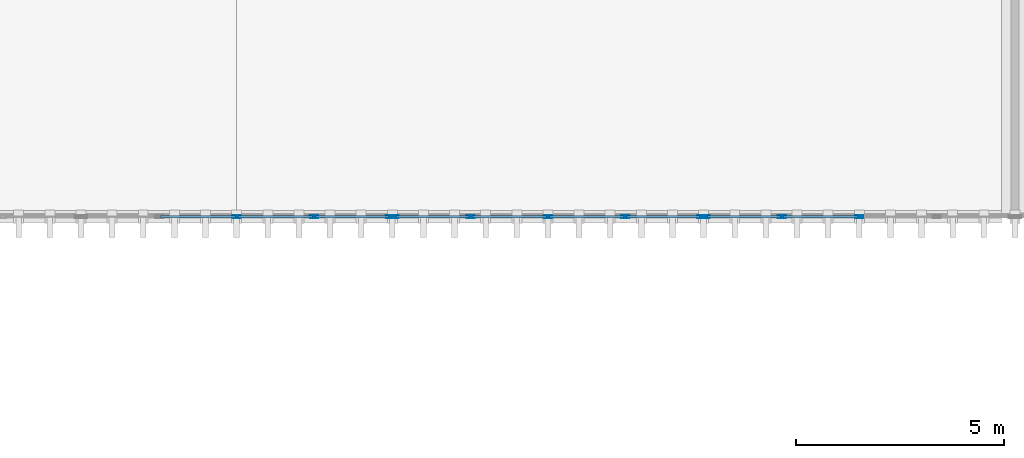
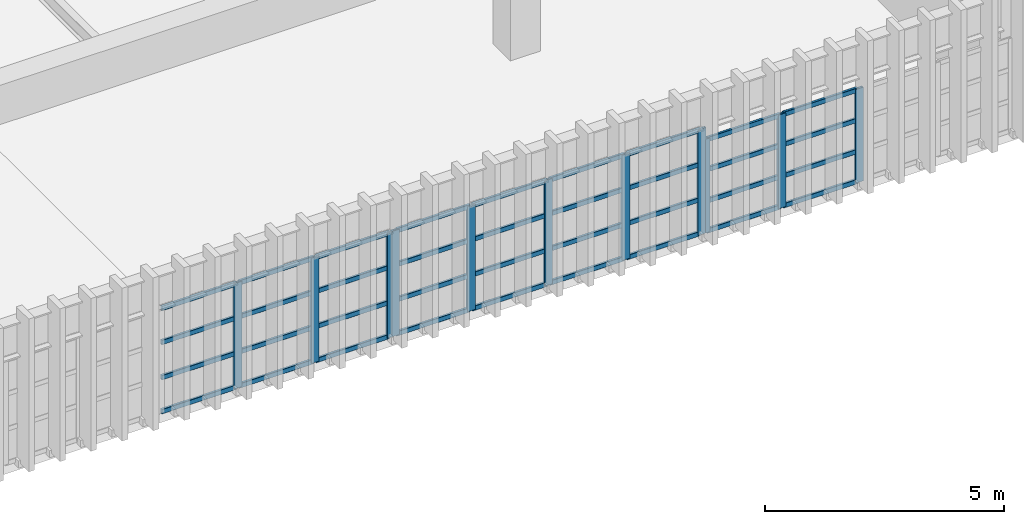
# One storey, part 42 of 101: 47 members, 3 elements without a shape of their own.
"""IFC4 building model written with IfcOpenShell, lengths in metres."""

from ifc_helpers import new_model, si_unit, direction, frame, origin, origin_2d, place, context, subcontext, project, spatial, hollow_rectangle, extrude, material, material_profile, profile_set, type_object, element, aggregate, save


model = new_model("IFC4")

# Units and contexts
model_context = context("Model", 3, precision=1e-05, world=origin(), true_north=direction((0.0, 1.0)))
body_context = subcontext(model_context, "Body", "Model", "MODEL_VIEW")
ifc_project = project(units=[si_unit("LENGTHUNIT", "METRE"), si_unit("AREAUNIT", "SQUARE_METRE"), si_unit("VOLUMEUNIT", "CUBIC_METRE"), si_unit("PLANEANGLEUNIT", "RADIAN"), si_unit("MASSUNIT", "GRAM", prefix="KILO")], contexts=[model_context])

# Site, building, storey
site_placement = place(None, origin())
site = spatial("IfcSite", under=ifc_project, at=site_placement, CompositionType="ELEMENT")
building_placement = place(site_placement, origin())
building = spatial("IfcBuilding", under=site, at=building_placement, Name="Qasida Concert Hall", CompositionType="ELEMENT")
storey_placement = place(building_placement, frame((0.0, 0.0, 13.199951171875)))
storey = spatial("IfcBuildingStorey", under=building, at=storey_placement, Name="L03", CompositionType="ELEMENT", Elevation=13.199951171875)

# Curtain wall, members
ifc_material_1 = material(Name="Architectural bronze-anodized aluminium and low-E glass", Category="aluminium")
curtain_wall_type = type_object("IfcCurtainWallType", Name="CW-04", PredefinedType="NOTDEFINED", material=ifc_material_1)
curtain_wall_1_placement = place(storey_placement, origin())
curtain_wall_1 = element("IfcCurtainWall", 1, at=curtain_wall_1_placement, inside=storey, type_object=curtain_wall_type, Name="L03 curtain wall CW-04 0018", PredefinedType="NOTDEFINED")
ifc_material_2 = material(Name="Architectural bronze-anodized aluminium EN AW-6063", Category="aluminium")
ifc_material_profile_1 = material_profile(ifc_material_2, hollow_rectangle(XDim=0.06494140625, YDim=0.199951171875, WallThickness=0.0048828125, InnerFilletRadius=0.0048828125, OuterFilletRadius=0.010009765625, at=origin_2d()), Name="CWM 200x65x5")
ifc_profile_set_1 = profile_set([ifc_material_profile_1], Name="Architectural bronze-anodized aluminium EN AW-6063")
member_type_1 = type_object("IfcMemberType", Name="MB-CWM-2", PredefinedType="MULLION", material=ifc_profile_set_1)
member_1_placement = place(storey_placement, frame((78.75, 14.699951171875, 0.0), z_axis=(0.0, 0.0, 1.0), x_axis=(0.0, 1.0, 0.0)))
member_1 = element("IfcMember", 2, at=member_1_placement, type_object=member_type_1, Name="CW-04 mullion 3", PredefinedType="MULLION", context=body_context, shape_type="SweptSolid", body=[
    extrude(hollow_rectangle(XDim=0.06494140625, YDim=0.199951171875, WallThickness=0.0048828125, InnerFilletRadius=0.0048828125, OuterFilletRadius=0.010009765625, at=origin_2d()), origin(), (0.0, 0.0, 1.0), 2.68994140625),
])
member_2_placement = place(storey_placement, frame((80.614990234375, 14.699951171875, 0.0), z_axis=(0.0, 0.0, 1.0), x_axis=(0.0, 1.0, 0.0)))
member_2 = element("IfcMember", 3, at=member_2_placement, type_object=member_type_1, Name="CW-04 mullion 4", PredefinedType="MULLION", context=body_context, shape_type="SweptSolid", body=[
    extrude(hollow_rectangle(XDim=0.06494140625, YDim=0.199951171875, WallThickness=0.0048828125, InnerFilletRadius=0.0048828125, OuterFilletRadius=0.010009765625, at=origin_2d()), origin(), (0.0, 0.0, 1.0), 2.68994140625),
])
member_3_placement = place(storey_placement, frame((82.447509765625, 14.699951171875, 0.0), z_axis=(0.0, 0.0, 1.0), x_axis=(0.0, 1.0, 0.0)))
member_3 = element("IfcMember", 4, at=member_3_placement, type_object=member_type_1, Name="CW-04 mullion 5", PredefinedType="MULLION", context=body_context, shape_type="SweptSolid", body=[
    extrude(hollow_rectangle(XDim=0.06494140625, YDim=0.199951171875, WallThickness=0.0048828125, InnerFilletRadius=0.0048828125, OuterFilletRadius=0.010009765625, at=origin_2d()), origin(), (0.0, 0.0, 1.0), 2.68994140625),
])

curtain_wall_2_placement = place(storey_placement, origin())
curtain_wall_2 = element("IfcCurtainWall", 5, at=curtain_wall_2_placement, inside=storey, type_object=curtain_wall_type, Name="L03 curtain wall CW-04 0019", PredefinedType="NOTDEFINED")
member_4_placement = place(storey_placement, frame((82.552490234375, 14.699951171875, 0.0), z_axis=(0.0, 0.0, 1.0), x_axis=(0.0, 1.0, 0.0)))
member_4 = element("IfcMember", 6, at=member_4_placement, type_object=member_type_1, Name="CW-04 mullion 1", PredefinedType="MULLION", context=body_context, shape_type="SweptSolid", body=[
    extrude(hollow_rectangle(XDim=0.06494140625, YDim=0.199951171875, WallThickness=0.0048828125, InnerFilletRadius=0.0048828125, OuterFilletRadius=0.010009765625, at=origin_2d()), origin(), (0.0, 0.0, 1.0), 2.68994140625),
])
member_5_placement = place(storey_placement, frame((84.385009765625, 14.699951171875, 0.0), z_axis=(0.0, 0.0, 1.0), x_axis=(0.0, 1.0, 0.0)))
member_5 = element("IfcMember", 7, at=member_5_placement, type_object=member_type_1, Name="CW-04 mullion 2", PredefinedType="MULLION", context=body_context, shape_type="SweptSolid", body=[
    extrude(hollow_rectangle(XDim=0.06494140625, YDim=0.199951171875, WallThickness=0.0048828125, InnerFilletRadius=0.0048828125, OuterFilletRadius=0.010009765625, at=origin_2d()), origin(), (0.0, 0.0, 1.0), 2.68994140625),
])
member_6_placement = place(storey_placement, frame((86.25, 14.699951171875, 0.0), z_axis=(0.0, 0.0, 1.0), x_axis=(0.0, 1.0, 0.0)))
member_6 = element("IfcMember", 8, at=member_6_placement, type_object=member_type_1, Name="CW-04 mullion 3", PredefinedType="MULLION", context=body_context, shape_type="SweptSolid", body=[
    extrude(hollow_rectangle(XDim=0.06494140625, YDim=0.199951171875, WallThickness=0.0048828125, InnerFilletRadius=0.0048828125, OuterFilletRadius=0.010009765625, at=origin_2d()), origin(), (0.0, 0.0, 1.0), 2.68994140625),
])
member_7_placement = place(storey_placement, frame((88.114990234375, 14.699951171875, 0.0), z_axis=(0.0, 0.0, 1.0), x_axis=(0.0, 1.0, 0.0)))
member_7 = element("IfcMember", 9, at=member_7_placement, type_object=member_type_1, Name="CW-04 mullion 4", PredefinedType="MULLION", context=body_context, shape_type="SweptSolid", body=[
    extrude(hollow_rectangle(XDim=0.06494140625, YDim=0.199951171875, WallThickness=0.0048828125, InnerFilletRadius=0.0048828125, OuterFilletRadius=0.010009765625, at=origin_2d()), origin(), (0.0, 0.0, 1.0), 2.68994140625),
])
member_8_placement = place(storey_placement, frame((89.947509765625, 14.699951171875, 0.0), z_axis=(0.0, 0.0, 1.0), x_axis=(0.0, 1.0, 0.0)))
member_8 = element("IfcMember", 10, at=member_8_placement, type_object=member_type_1, Name="CW-04 mullion 5", PredefinedType="MULLION", context=body_context, shape_type="SweptSolid", body=[
    extrude(hollow_rectangle(XDim=0.06494140625, YDim=0.199951171875, WallThickness=0.0048828125, InnerFilletRadius=0.0048828125, OuterFilletRadius=0.010009765625, at=origin_2d()), origin(), (0.0, 0.0, 1.0), 2.68994140625),
])

curtain_wall_3_placement = place(storey_placement, origin())
curtain_wall_3 = element("IfcCurtainWall", 11, at=curtain_wall_3_placement, inside=storey, type_object=curtain_wall_type, Name="L03 curtain wall CW-04 0020", PredefinedType="NOTDEFINED")
member_9_placement = place(storey_placement, frame((90.052490234375, 14.699951171875, 0.0), z_axis=(0.0, 0.0, 1.0), x_axis=(0.0, 1.0, 0.0)))
member_9 = element("IfcMember", 12, at=member_9_placement, type_object=member_type_1, Name="CW-04 mullion 1", PredefinedType="MULLION", context=body_context, shape_type="SweptSolid", body=[
    extrude(hollow_rectangle(XDim=0.06494140625, YDim=0.199951171875, WallThickness=0.0048828125, InnerFilletRadius=0.0048828125, OuterFilletRadius=0.010009765625, at=origin_2d()), origin(), (0.0, 0.0, 1.0), 2.39013671875),
])
member_10_placement = place(storey_placement, frame((91.885009765625, 14.699951171875, 0.0), z_axis=(0.0, 0.0, 1.0), x_axis=(0.0, 1.0, 0.0)))
member_10 = element("IfcMember", 13, at=member_10_placement, type_object=member_type_1, Name="CW-04 mullion 2", PredefinedType="MULLION", context=body_context, shape_type="SweptSolid", body=[
    extrude(hollow_rectangle(XDim=0.06494140625, YDim=0.199951171875, WallThickness=0.0048828125, InnerFilletRadius=0.0048828125, OuterFilletRadius=0.010009765625, at=origin_2d()), origin(), (0.0, 0.0, 1.0), 2.39013671875),
])
member_11_placement = place(storey_placement, frame((93.75, 14.699951171875, 0.0), z_axis=(0.0, 0.0, 1.0), x_axis=(0.0, 1.0, 0.0)))
member_11 = element("IfcMember", 14, at=member_11_placement, type_object=member_type_1, Name="CW-04 mullion 3", PredefinedType="MULLION", context=body_context, shape_type="SweptSolid", body=[
    extrude(hollow_rectangle(XDim=0.06494140625, YDim=0.199951171875, WallThickness=0.0048828125, InnerFilletRadius=0.0048828125, OuterFilletRadius=0.010009765625, at=origin_2d()), origin(), (0.0, 0.0, 1.0), 2.39013671875),
])

# Member
ifc_material_profile_2 = material_profile(ifc_material_2, hollow_rectangle(XDim=0.06005859375, YDim=0.1201171875, WallThickness=0.00390625, InnerFilletRadius=0.00390625, OuterFilletRadius=0.008056640625, at=origin_2d()), Name="CWT 120x60x4")
ifc_profile_set_2 = profile_set([ifc_material_profile_2], Name="Architectural bronze-anodized aluminium EN AW-6063")
member_type_2 = type_object("IfcMemberType", Name="MB-CWT-2", PredefinedType="USERDEFINED", material=ifc_profile_set_2)
member_12_placement = place(storey_placement, frame((76.91748046875, 14.699951171875, 0.030029296875), z_axis=(1.0, 0.0, 0.0), x_axis=(0.0, 1.0, 0.0)))
member_12 = element("IfcMember", 15, at=member_12_placement, type_object=member_type_2, Name="CW-04 transom 2.1", ObjectType="TRANSOM", PredefinedType="USERDEFINED", context=body_context, shape_type="SweptSolid", body=[
    extrude(hollow_rectangle(XDim=0.06005859375, YDim=0.1201171875, WallThickness=0.00390625, InnerFilletRadius=0.00390625, OuterFilletRadius=0.008056640625, at=origin_2d()), origin(), (0.0, 0.0, 1.0), 1.800048828125),
])

member_13_placement = place(storey_placement, frame((76.91748046875, 14.699951171875, 0.896728515625), z_axis=(1.0, 0.0, 0.0), x_axis=(0.0, 1.0, 0.0)))
member_13 = element("IfcMember", 16, at=member_13_placement, type_object=member_type_2, Name="CW-04 transom 2.2", ObjectType="TRANSOM", PredefinedType="USERDEFINED", context=body_context, shape_type="SweptSolid", body=[
    extrude(hollow_rectangle(XDim=0.06005859375, YDim=0.1201171875, WallThickness=0.00390625, InnerFilletRadius=0.00390625, OuterFilletRadius=0.008056640625, at=origin_2d()), origin(), (0.0, 0.0, 1.0), 1.800048828125),
])

member_14_placement = place(storey_placement, frame((76.91748046875, 14.699951171875, 1.79345703125), z_axis=(1.0, 0.0, 0.0), x_axis=(0.0, 1.0, 0.0)))
member_14 = element("IfcMember", 17, at=member_14_placement, type_object=member_type_2, Name="CW-04 transom 2.3", ObjectType="TRANSOM", PredefinedType="USERDEFINED", context=body_context, shape_type="SweptSolid", body=[
    extrude(hollow_rectangle(XDim=0.06005859375, YDim=0.1201171875, WallThickness=0.00390625, InnerFilletRadius=0.00390625, OuterFilletRadius=0.008056640625, at=origin_2d()), origin(), (0.0, 0.0, 1.0), 1.800048828125),
])

member_15_placement = place(storey_placement, frame((76.91748046875, 14.699951171875, 2.66015625), z_axis=(1.0, 0.0, 0.0), x_axis=(0.0, 1.0, 0.0)))
member_15 = element("IfcMember", 18, at=member_15_placement, type_object=member_type_2, Name="CW-04 transom 2.4", ObjectType="TRANSOM", PredefinedType="USERDEFINED", context=body_context, shape_type="SweptSolid", body=[
    extrude(hollow_rectangle(XDim=0.06005859375, YDim=0.1201171875, WallThickness=0.00390625, InnerFilletRadius=0.00390625, OuterFilletRadius=0.008056640625, at=origin_2d()), origin(), (0.0, 0.0, 1.0), 1.800048828125),
])

member_16_placement = place(storey_placement, frame((78.782470703125, 14.699951171875, 0.030029296875), z_axis=(1.0, 0.0, 0.0), x_axis=(0.0, 1.0, 0.0)))
member_16 = element("IfcMember", 19, at=member_16_placement, type_object=member_type_2, Name="CW-04 transom 3.1", ObjectType="TRANSOM", PredefinedType="USERDEFINED", context=body_context, shape_type="SweptSolid", body=[
    extrude(hollow_rectangle(XDim=0.06005859375, YDim=0.1201171875, WallThickness=0.00390625, InnerFilletRadius=0.00390625, OuterFilletRadius=0.008056640625, at=origin_2d()), origin(), (0.0, 0.0, 1.0), 1.800048828125),
])

member_17_placement = place(storey_placement, frame((78.782470703125, 14.699951171875, 0.896728515625), z_axis=(1.0, 0.0, 0.0), x_axis=(0.0, 1.0, 0.0)))
member_17 = element("IfcMember", 20, at=member_17_placement, type_object=member_type_2, Name="CW-04 transom 3.2", ObjectType="TRANSOM", PredefinedType="USERDEFINED", context=body_context, shape_type="SweptSolid", body=[
    extrude(hollow_rectangle(XDim=0.06005859375, YDim=0.1201171875, WallThickness=0.00390625, InnerFilletRadius=0.00390625, OuterFilletRadius=0.008056640625, at=origin_2d()), origin(), (0.0, 0.0, 1.0), 1.800048828125),
])

member_18_placement = place(storey_placement, frame((78.782470703125, 14.699951171875, 1.79345703125), z_axis=(1.0, 0.0, 0.0), x_axis=(0.0, 1.0, 0.0)))
member_18 = element("IfcMember", 21, at=member_18_placement, type_object=member_type_2, Name="CW-04 transom 3.3", ObjectType="TRANSOM", PredefinedType="USERDEFINED", context=body_context, shape_type="SweptSolid", body=[
    extrude(hollow_rectangle(XDim=0.06005859375, YDim=0.1201171875, WallThickness=0.00390625, InnerFilletRadius=0.00390625, OuterFilletRadius=0.008056640625, at=origin_2d()), origin(), (0.0, 0.0, 1.0), 1.800048828125),
])

member_19_placement = place(storey_placement, frame((78.782470703125, 14.699951171875, 2.66015625), z_axis=(1.0, 0.0, 0.0), x_axis=(0.0, 1.0, 0.0)))
member_19 = element("IfcMember", 22, at=member_19_placement, type_object=member_type_2, Name="CW-04 transom 3.4", ObjectType="TRANSOM", PredefinedType="USERDEFINED", context=body_context, shape_type="SweptSolid", body=[
    extrude(hollow_rectangle(XDim=0.06005859375, YDim=0.1201171875, WallThickness=0.00390625, InnerFilletRadius=0.00390625, OuterFilletRadius=0.008056640625, at=origin_2d()), origin(), (0.0, 0.0, 1.0), 1.800048828125),
])

member_20_placement = place(storey_placement, frame((80.6474609375, 14.699951171875, 0.030029296875), z_axis=(1.0, 0.0, 0.0), x_axis=(0.0, 1.0, 0.0)))
member_20 = element("IfcMember", 23, at=member_20_placement, type_object=member_type_2, Name="CW-04 transom 4.1", ObjectType="TRANSOM", PredefinedType="USERDEFINED", context=body_context, shape_type="SweptSolid", body=[
    extrude(hollow_rectangle(XDim=0.06005859375, YDim=0.1201171875, WallThickness=0.00390625, InnerFilletRadius=0.00390625, OuterFilletRadius=0.008056640625, at=origin_2d()), origin(), (0.0, 0.0, 1.0), 1.767578125),
])

member_21_placement = place(storey_placement, frame((80.6474609375, 14.699951171875, 0.896728515625), z_axis=(1.0, 0.0, 0.0), x_axis=(0.0, 1.0, 0.0)))
member_21 = element("IfcMember", 24, at=member_21_placement, type_object=member_type_2, Name="CW-04 transom 4.2", ObjectType="TRANSOM", PredefinedType="USERDEFINED", context=body_context, shape_type="SweptSolid", body=[
    extrude(hollow_rectangle(XDim=0.06005859375, YDim=0.1201171875, WallThickness=0.00390625, InnerFilletRadius=0.00390625, OuterFilletRadius=0.008056640625, at=origin_2d()), origin(), (0.0, 0.0, 1.0), 1.767578125),
])

member_22_placement = place(storey_placement, frame((80.6474609375, 14.699951171875, 1.79345703125), z_axis=(1.0, 0.0, 0.0), x_axis=(0.0, 1.0, 0.0)))
member_22 = element("IfcMember", 25, at=member_22_placement, type_object=member_type_2, Name="CW-04 transom 4.3", ObjectType="TRANSOM", PredefinedType="USERDEFINED", context=body_context, shape_type="SweptSolid", body=[
    extrude(hollow_rectangle(XDim=0.06005859375, YDim=0.1201171875, WallThickness=0.00390625, InnerFilletRadius=0.00390625, OuterFilletRadius=0.008056640625, at=origin_2d()), origin(), (0.0, 0.0, 1.0), 1.767578125),
])

member_23_placement = place(storey_placement, frame((80.6474609375, 14.699951171875, 2.66015625), z_axis=(1.0, 0.0, 0.0), x_axis=(0.0, 1.0, 0.0)))
member_23 = element("IfcMember", 26, at=member_23_placement, type_object=member_type_2, Name="CW-04 transom 4.4", ObjectType="TRANSOM", PredefinedType="USERDEFINED", context=body_context, shape_type="SweptSolid", body=[
    extrude(hollow_rectangle(XDim=0.06005859375, YDim=0.1201171875, WallThickness=0.00390625, InnerFilletRadius=0.00390625, OuterFilletRadius=0.008056640625, at=origin_2d()), origin(), (0.0, 0.0, 1.0), 1.767578125),
])

aggregate(curtain_wall_1, [member_1, member_2, member_3, member_12, member_13, member_14, member_15, member_16, member_17, member_18, member_19, member_20, member_21, member_22, member_23])

member_24_placement = place(storey_placement, frame((82.5849609375, 14.699951171875, 0.030029296875), z_axis=(1.0, 0.0, 0.0), x_axis=(0.0, 1.0, 0.0)))
member_24 = element("IfcMember", 27, at=member_24_placement, type_object=member_type_2, Name="CW-04 transom 1.1", ObjectType="TRANSOM", PredefinedType="USERDEFINED", context=body_context, shape_type="SweptSolid", body=[
    extrude(hollow_rectangle(XDim=0.06005859375, YDim=0.1201171875, WallThickness=0.00390625, InnerFilletRadius=0.00390625, OuterFilletRadius=0.008056640625, at=origin_2d()), origin(), (0.0, 0.0, 1.0), 1.767578125),
])

member_25_placement = place(storey_placement, frame((82.5849609375, 14.699951171875, 0.896728515625), z_axis=(1.0, 0.0, 0.0), x_axis=(0.0, 1.0, 0.0)))
member_25 = element("IfcMember", 28, at=member_25_placement, type_object=member_type_2, Name="CW-04 transom 1.2", ObjectType="TRANSOM", PredefinedType="USERDEFINED", context=body_context, shape_type="SweptSolid", body=[
    extrude(hollow_rectangle(XDim=0.06005859375, YDim=0.1201171875, WallThickness=0.00390625, InnerFilletRadius=0.00390625, OuterFilletRadius=0.008056640625, at=origin_2d()), origin(), (0.0, 0.0, 1.0), 1.767578125),
])

member_26_placement = place(storey_placement, frame((82.5849609375, 14.699951171875, 1.79345703125), z_axis=(1.0, 0.0, 0.0), x_axis=(0.0, 1.0, 0.0)))
member_26 = element("IfcMember", 29, at=member_26_placement, type_object=member_type_2, Name="CW-04 transom 1.3", ObjectType="TRANSOM", PredefinedType="USERDEFINED", context=body_context, shape_type="SweptSolid", body=[
    extrude(hollow_rectangle(XDim=0.06005859375, YDim=0.1201171875, WallThickness=0.00390625, InnerFilletRadius=0.00390625, OuterFilletRadius=0.008056640625, at=origin_2d()), origin(), (0.0, 0.0, 1.0), 1.767578125),
])

member_27_placement = place(storey_placement, frame((82.5849609375, 14.699951171875, 2.66015625), z_axis=(1.0, 0.0, 0.0), x_axis=(0.0, 1.0, 0.0)))
member_27 = element("IfcMember", 30, at=member_27_placement, type_object=member_type_2, Name="CW-04 transom 1.4", ObjectType="TRANSOM", PredefinedType="USERDEFINED", context=body_context, shape_type="SweptSolid", body=[
    extrude(hollow_rectangle(XDim=0.06005859375, YDim=0.1201171875, WallThickness=0.00390625, InnerFilletRadius=0.00390625, OuterFilletRadius=0.008056640625, at=origin_2d()), origin(), (0.0, 0.0, 1.0), 1.767578125),
])

member_28_placement = place(storey_placement, frame((84.41748046875, 14.699951171875, 0.030029296875), z_axis=(1.0, 0.0, 0.0), x_axis=(0.0, 1.0, 0.0)))
member_28 = element("IfcMember", 31, at=member_28_placement, type_object=member_type_2, Name="CW-04 transom 2.1", ObjectType="TRANSOM", PredefinedType="USERDEFINED", context=body_context, shape_type="SweptSolid", body=[
    extrude(hollow_rectangle(XDim=0.06005859375, YDim=0.1201171875, WallThickness=0.00390625, InnerFilletRadius=0.00390625, OuterFilletRadius=0.008056640625, at=origin_2d()), origin(), (0.0, 0.0, 1.0), 1.800048828125),
])

member_29_placement = place(storey_placement, frame((84.41748046875, 14.699951171875, 0.896728515625), z_axis=(1.0, 0.0, 0.0), x_axis=(0.0, 1.0, 0.0)))
member_29 = element("IfcMember", 32, at=member_29_placement, type_object=member_type_2, Name="CW-04 transom 2.2", ObjectType="TRANSOM", PredefinedType="USERDEFINED", context=body_context, shape_type="SweptSolid", body=[
    extrude(hollow_rectangle(XDim=0.06005859375, YDim=0.1201171875, WallThickness=0.00390625, InnerFilletRadius=0.00390625, OuterFilletRadius=0.008056640625, at=origin_2d()), origin(), (0.0, 0.0, 1.0), 1.800048828125),
])

member_30_placement = place(storey_placement, frame((84.41748046875, 14.699951171875, 1.79345703125), z_axis=(1.0, 0.0, 0.0), x_axis=(0.0, 1.0, 0.0)))
member_30 = element("IfcMember", 33, at=member_30_placement, type_object=member_type_2, Name="CW-04 transom 2.3", ObjectType="TRANSOM", PredefinedType="USERDEFINED", context=body_context, shape_type="SweptSolid", body=[
    extrude(hollow_rectangle(XDim=0.06005859375, YDim=0.1201171875, WallThickness=0.00390625, InnerFilletRadius=0.00390625, OuterFilletRadius=0.008056640625, at=origin_2d()), origin(), (0.0, 0.0, 1.0), 1.800048828125),
])

member_31_placement = place(storey_placement, frame((84.41748046875, 14.699951171875, 2.66015625), z_axis=(1.0, 0.0, 0.0), x_axis=(0.0, 1.0, 0.0)))
member_31 = element("IfcMember", 34, at=member_31_placement, type_object=member_type_2, Name="CW-04 transom 2.4", ObjectType="TRANSOM", PredefinedType="USERDEFINED", context=body_context, shape_type="SweptSolid", body=[
    extrude(hollow_rectangle(XDim=0.06005859375, YDim=0.1201171875, WallThickness=0.00390625, InnerFilletRadius=0.00390625, OuterFilletRadius=0.008056640625, at=origin_2d()), origin(), (0.0, 0.0, 1.0), 1.800048828125),
])

member_32_placement = place(storey_placement, frame((86.282470703125, 14.699951171875, 0.030029296875), z_axis=(1.0, 0.0, 0.0), x_axis=(0.0, 1.0, 0.0)))
member_32 = element("IfcMember", 35, at=member_32_placement, type_object=member_type_2, Name="CW-04 transom 3.1", ObjectType="TRANSOM", PredefinedType="USERDEFINED", context=body_context, shape_type="SweptSolid", body=[
    extrude(hollow_rectangle(XDim=0.06005859375, YDim=0.1201171875, WallThickness=0.00390625, InnerFilletRadius=0.00390625, OuterFilletRadius=0.008056640625, at=origin_2d()), origin(), (0.0, 0.0, 1.0), 1.800048828125),
])

member_33_placement = place(storey_placement, frame((86.282470703125, 14.699951171875, 0.896728515625), z_axis=(1.0, 0.0, 0.0), x_axis=(0.0, 1.0, 0.0)))
member_33 = element("IfcMember", 36, at=member_33_placement, type_object=member_type_2, Name="CW-04 transom 3.2", ObjectType="TRANSOM", PredefinedType="USERDEFINED", context=body_context, shape_type="SweptSolid", body=[
    extrude(hollow_rectangle(XDim=0.06005859375, YDim=0.1201171875, WallThickness=0.00390625, InnerFilletRadius=0.00390625, OuterFilletRadius=0.008056640625, at=origin_2d()), origin(), (0.0, 0.0, 1.0), 1.800048828125),
])

member_34_placement = place(storey_placement, frame((86.282470703125, 14.699951171875, 1.79345703125), z_axis=(1.0, 0.0, 0.0), x_axis=(0.0, 1.0, 0.0)))
member_34 = element("IfcMember", 37, at=member_34_placement, type_object=member_type_2, Name="CW-04 transom 3.3", ObjectType="TRANSOM", PredefinedType="USERDEFINED", context=body_context, shape_type="SweptSolid", body=[
    extrude(hollow_rectangle(XDim=0.06005859375, YDim=0.1201171875, WallThickness=0.00390625, InnerFilletRadius=0.00390625, OuterFilletRadius=0.008056640625, at=origin_2d()), origin(), (0.0, 0.0, 1.0), 1.800048828125),
])

member_35_placement = place(storey_placement, frame((86.282470703125, 14.699951171875, 2.66015625), z_axis=(1.0, 0.0, 0.0), x_axis=(0.0, 1.0, 0.0)))
member_35 = element("IfcMember", 38, at=member_35_placement, type_object=member_type_2, Name="CW-04 transom 3.4", ObjectType="TRANSOM", PredefinedType="USERDEFINED", context=body_context, shape_type="SweptSolid", body=[
    extrude(hollow_rectangle(XDim=0.06005859375, YDim=0.1201171875, WallThickness=0.00390625, InnerFilletRadius=0.00390625, OuterFilletRadius=0.008056640625, at=origin_2d()), origin(), (0.0, 0.0, 1.0), 1.800048828125),
])

member_36_placement = place(storey_placement, frame((88.1474609375, 14.699951171875, 0.030029296875), z_axis=(1.0, 0.0, 0.0), x_axis=(0.0, 1.0, 0.0)))
member_36 = element("IfcMember", 39, at=member_36_placement, type_object=member_type_2, Name="CW-04 transom 4.1", ObjectType="TRANSOM", PredefinedType="USERDEFINED", context=body_context, shape_type="SweptSolid", body=[
    extrude(hollow_rectangle(XDim=0.06005859375, YDim=0.1201171875, WallThickness=0.00390625, InnerFilletRadius=0.00390625, OuterFilletRadius=0.008056640625, at=origin_2d()), origin(), (0.0, 0.0, 1.0), 1.767578125),
])

member_37_placement = place(storey_placement, frame((88.1474609375, 14.699951171875, 0.896728515625), z_axis=(1.0, 0.0, 0.0), x_axis=(0.0, 1.0, 0.0)))
member_37 = element("IfcMember", 40, at=member_37_placement, type_object=member_type_2, Name="CW-04 transom 4.2", ObjectType="TRANSOM", PredefinedType="USERDEFINED", context=body_context, shape_type="SweptSolid", body=[
    extrude(hollow_rectangle(XDim=0.06005859375, YDim=0.1201171875, WallThickness=0.00390625, InnerFilletRadius=0.00390625, OuterFilletRadius=0.008056640625, at=origin_2d()), origin(), (0.0, 0.0, 1.0), 1.767578125),
])

member_38_placement = place(storey_placement, frame((88.1474609375, 14.699951171875, 1.79345703125), z_axis=(1.0, 0.0, 0.0), x_axis=(0.0, 1.0, 0.0)))
member_38 = element("IfcMember", 41, at=member_38_placement, type_object=member_type_2, Name="CW-04 transom 4.3", ObjectType="TRANSOM", PredefinedType="USERDEFINED", context=body_context, shape_type="SweptSolid", body=[
    extrude(hollow_rectangle(XDim=0.06005859375, YDim=0.1201171875, WallThickness=0.00390625, InnerFilletRadius=0.00390625, OuterFilletRadius=0.008056640625, at=origin_2d()), origin(), (0.0, 0.0, 1.0), 1.767578125),
])

member_39_placement = place(storey_placement, frame((88.1474609375, 14.699951171875, 2.66015625), z_axis=(1.0, 0.0, 0.0), x_axis=(0.0, 1.0, 0.0)))
member_39 = element("IfcMember", 42, at=member_39_placement, type_object=member_type_2, Name="CW-04 transom 4.4", ObjectType="TRANSOM", PredefinedType="USERDEFINED", context=body_context, shape_type="SweptSolid", body=[
    extrude(hollow_rectangle(XDim=0.06005859375, YDim=0.1201171875, WallThickness=0.00390625, InnerFilletRadius=0.00390625, OuterFilletRadius=0.008056640625, at=origin_2d()), origin(), (0.0, 0.0, 1.0), 1.767578125),
])

aggregate(curtain_wall_2, [member_4, member_5, member_6, member_7, member_8, member_24, member_25, member_26, member_27, member_28, member_29, member_30, member_31, member_32, member_33, member_34, member_35, member_36, member_37, member_38, member_39])

member_40_placement = place(storey_placement, frame((90.0849609375, 14.699951171875, 0.030029296875), z_axis=(1.0, 0.0, 0.0), x_axis=(0.0, 1.0, 0.0)))
member_40 = element("IfcMember", 43, at=member_40_placement, type_object=member_type_2, Name="CW-04 transom 1.1", ObjectType="TRANSOM", PredefinedType="USERDEFINED", context=body_context, shape_type="SweptSolid", body=[
    extrude(hollow_rectangle(XDim=0.06005859375, YDim=0.1201171875, WallThickness=0.00390625, InnerFilletRadius=0.00390625, OuterFilletRadius=0.008056640625, at=origin_2d()), origin(), (0.0, 0.0, 1.0), 1.767578125),
])

member_41_placement = place(storey_placement, frame((90.0849609375, 14.699951171875, 0.796630859375), z_axis=(1.0, 0.0, 0.0), x_axis=(0.0, 1.0, 0.0)))
member_41 = element("IfcMember", 44, at=member_41_placement, type_object=member_type_2, Name="CW-04 transom 1.2", ObjectType="TRANSOM", PredefinedType="USERDEFINED", context=body_context, shape_type="SweptSolid", body=[
    extrude(hollow_rectangle(XDim=0.06005859375, YDim=0.1201171875, WallThickness=0.00390625, InnerFilletRadius=0.00390625, OuterFilletRadius=0.008056640625, at=origin_2d()), origin(), (0.0, 0.0, 1.0), 1.767578125),
])

member_42_placement = place(storey_placement, frame((90.0849609375, 14.699951171875, 1.59326171875), z_axis=(1.0, 0.0, 0.0), x_axis=(0.0, 1.0, 0.0)))
member_42 = element("IfcMember", 45, at=member_42_placement, type_object=member_type_2, Name="CW-04 transom 1.3", ObjectType="TRANSOM", PredefinedType="USERDEFINED", context=body_context, shape_type="SweptSolid", body=[
    extrude(hollow_rectangle(XDim=0.06005859375, YDim=0.1201171875, WallThickness=0.00390625, InnerFilletRadius=0.00390625, OuterFilletRadius=0.008056640625, at=origin_2d()), origin(), (0.0, 0.0, 1.0), 1.767578125),
])

member_43_placement = place(storey_placement, frame((90.0849609375, 14.699951171875, 2.360107421875), z_axis=(1.0, 0.0, 0.0), x_axis=(0.0, 1.0, 0.0)))
member_43 = element("IfcMember", 46, at=member_43_placement, type_object=member_type_2, Name="CW-04 transom 1.4", ObjectType="TRANSOM", PredefinedType="USERDEFINED", context=body_context, shape_type="SweptSolid", body=[
    extrude(hollow_rectangle(XDim=0.06005859375, YDim=0.1201171875, WallThickness=0.00390625, InnerFilletRadius=0.00390625, OuterFilletRadius=0.008056640625, at=origin_2d()), origin(), (0.0, 0.0, 1.0), 1.767578125),
])

member_44_placement = place(storey_placement, frame((91.91748046875, 14.699951171875, 0.030029296875), z_axis=(1.0, 0.0, 0.0), x_axis=(0.0, 1.0, 0.0)))
member_44 = element("IfcMember", 47, at=member_44_placement, type_object=member_type_2, Name="CW-04 transom 2.1", ObjectType="TRANSOM", PredefinedType="USERDEFINED", context=body_context, shape_type="SweptSolid", body=[
    extrude(hollow_rectangle(XDim=0.06005859375, YDim=0.1201171875, WallThickness=0.00390625, InnerFilletRadius=0.00390625, OuterFilletRadius=0.008056640625, at=origin_2d()), origin(), (0.0, 0.0, 1.0), 1.800048828125),
])

member_45_placement = place(storey_placement, frame((91.91748046875, 14.699951171875, 0.796630859375), z_axis=(1.0, 0.0, 0.0), x_axis=(0.0, 1.0, 0.0)))
member_45 = element("IfcMember", 48, at=member_45_placement, type_object=member_type_2, Name="CW-04 transom 2.2", ObjectType="TRANSOM", PredefinedType="USERDEFINED", context=body_context, shape_type="SweptSolid", body=[
    extrude(hollow_rectangle(XDim=0.06005859375, YDim=0.1201171875, WallThickness=0.00390625, InnerFilletRadius=0.00390625, OuterFilletRadius=0.008056640625, at=origin_2d()), origin(), (0.0, 0.0, 1.0), 1.800048828125),
])

member_46_placement = place(storey_placement, frame((91.91748046875, 14.699951171875, 1.59326171875), z_axis=(1.0, 0.0, 0.0), x_axis=(0.0, 1.0, 0.0)))
member_46 = element("IfcMember", 49, at=member_46_placement, type_object=member_type_2, Name="CW-04 transom 2.3", ObjectType="TRANSOM", PredefinedType="USERDEFINED", context=body_context, shape_type="SweptSolid", body=[
    extrude(hollow_rectangle(XDim=0.06005859375, YDim=0.1201171875, WallThickness=0.00390625, InnerFilletRadius=0.00390625, OuterFilletRadius=0.008056640625, at=origin_2d()), origin(), (0.0, 0.0, 1.0), 1.800048828125),
])

member_47_placement = place(storey_placement, frame((91.91748046875, 14.699951171875, 2.360107421875), z_axis=(1.0, 0.0, 0.0), x_axis=(0.0, 1.0, 0.0)))
member_47 = element("IfcMember", 50, at=member_47_placement, type_object=member_type_2, Name="CW-04 transom 2.4", ObjectType="TRANSOM", PredefinedType="USERDEFINED", context=body_context, shape_type="SweptSolid", body=[
    extrude(hollow_rectangle(XDim=0.06005859375, YDim=0.1201171875, WallThickness=0.00390625, InnerFilletRadius=0.00390625, OuterFilletRadius=0.008056640625, at=origin_2d()), origin(), (0.0, 0.0, 1.0), 1.800048828125),
])

aggregate(curtain_wall_3, [member_9, member_10, member_11, member_40, member_41, member_42, member_43, member_44, member_45, member_46, member_47])

save(model, "model.ifc")
